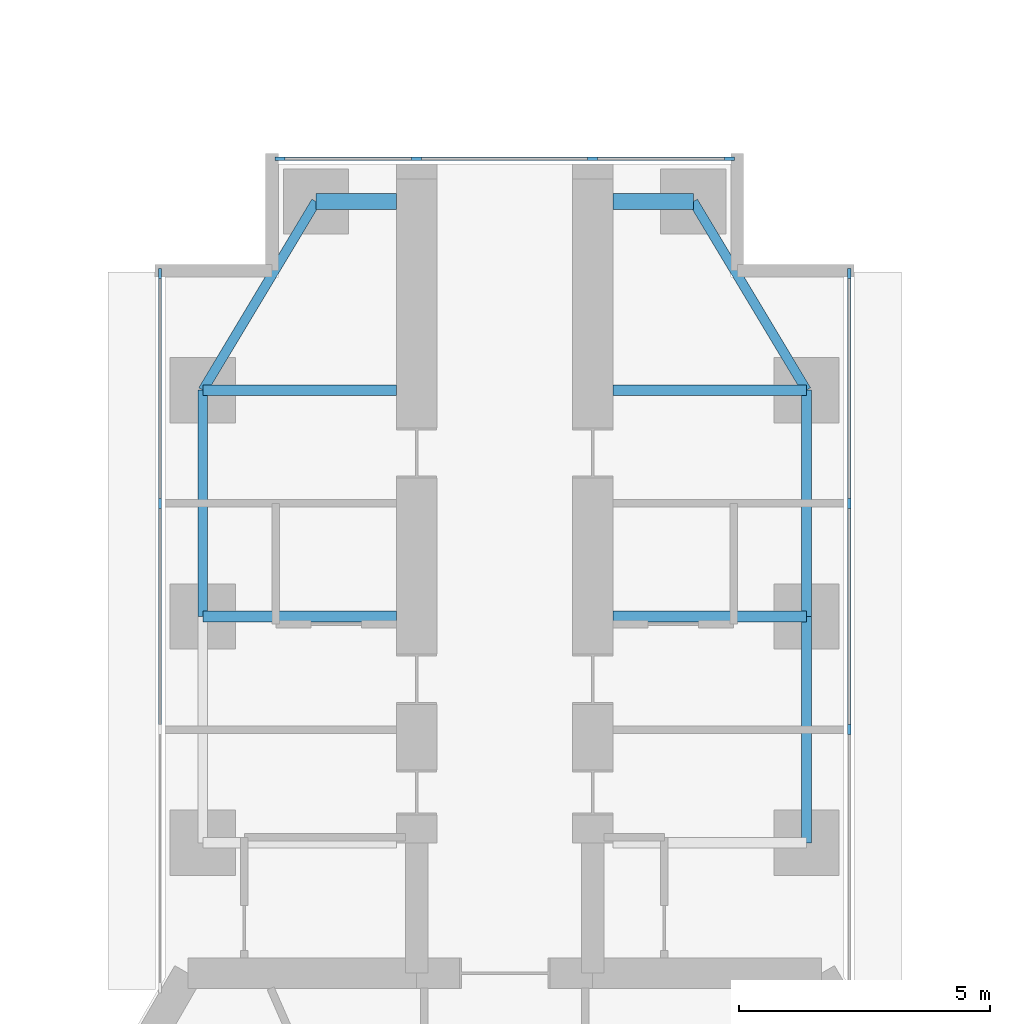
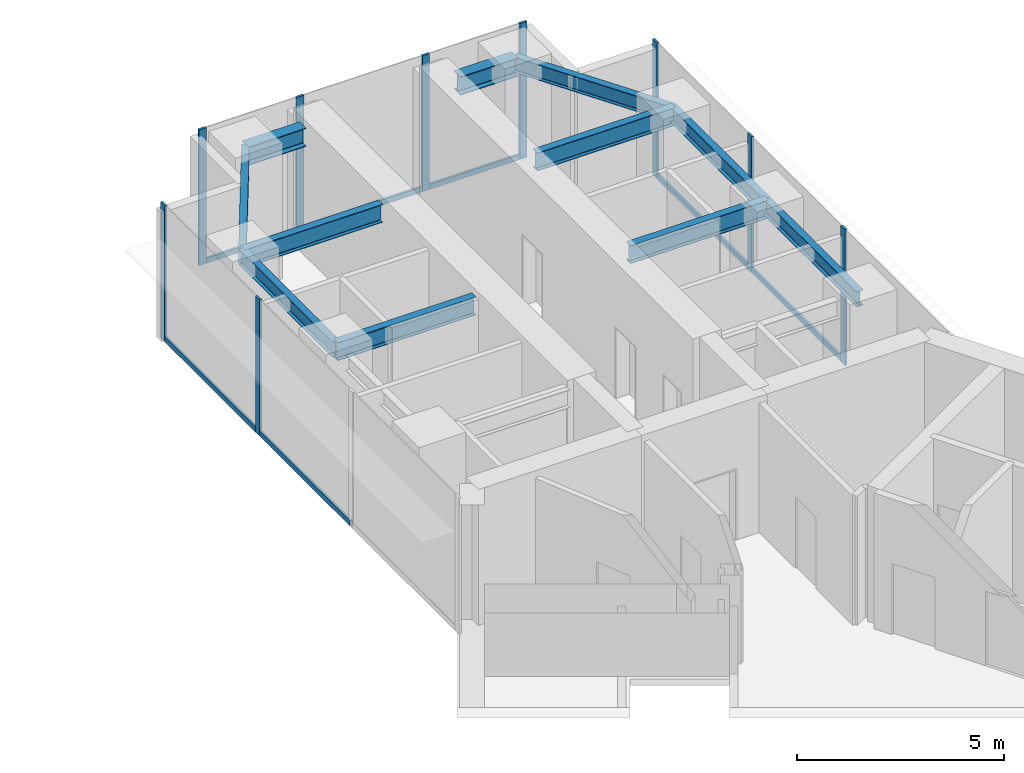
# One storey, part 12 of 22: 16 members, 11 beams, 3 elements without a shape of their own.
"""IFC4 building model written with IfcOpenShell, lengths in metres."""

from ifc_helpers import new_model, si_unit, direction, frame, origin, origin_2d, place, context, subcontext, project, spatial, rectangle, i_section, extrude, material, material_profile, profile_set, type_object, element, aggregate, save


model = new_model("IFC4")

# Units and contexts
model_context = context("Model", 3, precision=1e-05, world=origin(), true_north=direction((0.0, 1.0)))
body_context = subcontext(model_context, "Body", "Model", "MODEL_VIEW")
ifc_project = project(units=[si_unit("LENGTHUNIT", "METRE"), si_unit("AREAUNIT", "SQUARE_METRE"), si_unit("VOLUMEUNIT", "CUBIC_METRE"), si_unit("PLANEANGLEUNIT", "RADIAN"), si_unit("MASSUNIT", "GRAM", prefix="KILO")], contexts=[model_context])

# Site, building, storey
site_placement = place(None, origin())
site = spatial("IfcSite", under=ifc_project, at=site_placement, CompositionType="ELEMENT")
building_placement = place(site_placement, origin())
building = spatial("IfcBuilding", under=site, at=building_placement, Name="Upepo Twin Towers", CompositionType="ELEMENT")
storey_placement = place(building_placement, frame((0.0, 0.0, 125.5)))
storey = spatial("IfcBuildingStorey", under=building, at=storey_placement, Name="L30", CompositionType="ELEMENT", Elevation=125.5)

# Beams
ifc_material_1 = material(Name="Steel S355", Category="steel")
ifc_material_profile_1 = material_profile(ifc_material_1, i_section(OverallWidth=0.1904296875, OverallDepth=0.45703125, WebThickness=0.009033203125, FlangeThickness=0.014404296875, FilletRadius=0.01025390625, at=origin_2d()), Name="UB 457x191x74")
ifc_profile_set_1 = profile_set([ifc_material_profile_1], Name="Steel S355")
beam_type_1 = type_object("IfcBeamType", Name="Beam UB 457x191x74", PredefinedType="BEAM", material=ifc_profile_set_1)
beam_1_placement = place(storey_placement, frame((52.5, 0.0, 3.571533203125), z_axis=(0.0, 1.0, 0.0), x_axis=(-1.0, 0.0, 0.0)))
element("IfcBeam", 1, at=beam_1_placement, inside=storey, type_object=beam_type_1, Name="T2 edge beam AL 18.0-22.5", PredefinedType="BEAM", context=body_context, shape_type="SweptSolid", body=[
    extrude(i_section(OverallWidth=0.1904296875, OverallDepth=0.45703125, WebThickness=0.009033203125, FlangeThickness=0.014404296875, FilletRadius=0.01025390625, at=origin_2d()), origin(), (0.0, 0.0, 1.0), 4.5),
])
beam_2_placement = place(storey_placement, frame((52.5, 4.5, 3.571533203125), z_axis=(0.514495755428, 0.857492925713, 0.0), x_axis=(-0.857492925713, 0.514495755428, 0.0)))
element("IfcBeam", 2, at=beam_2_placement, inside=storey, type_object=beam_type_1, Name="T2 nose edge beam AL", PredefinedType="BEAM", context=body_context, shape_type="SweptSolid", body=[
    extrude(i_section(OverallWidth=0.1904296875, OverallDepth=0.45703125, WebThickness=0.009033203125, FlangeThickness=0.014404296875, FilletRadius=0.01025390625, at=origin_2d()), origin(), (0.0, 0.0, 1.0), 4.373291015625),
])
for number, where, z_axis, x_axis, name in (
    (3, (64.5, -4.5, 3.571533203125), (0.0, 1.0, 0.0), (-1.0, 0.0, 0.0), "T2 edge beam AR 13.5-18.0"),
    (4, (64.5, 0.0, 3.571533203125), (0.0, 1.0, 0.0), (-1.0, 0.0, 0.0), "T2 edge beam AR 18.0-22.5"),
):
    element("IfcBeam", number, at=place(storey_placement, frame(where, z_axis=z_axis, x_axis=x_axis)), inside=storey, type_object=beam_type_1, Name=name, PredefinedType="BEAM", context=body_context, shape_type="SweptSolid", body=[
        extrude(i_section(OverallWidth=0.1904296875, OverallDepth=0.45703125, WebThickness=0.009033203125, FlangeThickness=0.014404296875, FilletRadius=0.01025390625, at=origin_2d()), origin(), (0.0, 0.0, 1.0), 4.5),
    ])
beam_3_placement = place(storey_placement, frame((64.5, 4.5, 3.571533203125), z_axis=(-0.514495755428, 0.857492925713, 0.0), x_axis=(-0.857492925713, -0.514495755428, 0.0)))
element("IfcBeam", 5, at=beam_3_placement, inside=storey, type_object=beam_type_1, Name="T2 nose edge beam AR", PredefinedType="BEAM", context=body_context, shape_type="SweptSolid", body=[
    extrude(i_section(OverallWidth=0.1904296875, OverallDepth=0.45703125, WebThickness=0.009033203125, FlangeThickness=0.014404296875, FilletRadius=0.01025390625, at=origin_2d()), origin(), (0.0, 0.0, 1.0), 4.373291015625),
])
ifc_material_2 = material(Name="Steel S355", Category="steel")
ifc_material_profile_2 = material_profile(ifc_material_2, i_section(OverallWidth=0.209228515625, OverallDepth=0.533203125, WebThickness=0.010009765625, FlangeThickness=0.015625, FilletRadius=0.0126953125, at=origin_2d()), Name="UB 533x210x92")
ifc_profile_set_2 = profile_set([ifc_material_profile_2], Name="Steel S355")
beam_type_2 = type_object("IfcBeamType", Name="Beam UB 533x210x92", PredefinedType="BEAM", material=ifc_profile_set_2)
for number, where, z_axis, x_axis, name in (
    (6, (52.5, 0.0, 3.533447265625), (1.0, 0.0, 0.0), (0.0, 1.0, 0.0), "T2 girder AL at 18.0"),
    (7, (52.5, 4.5, 3.533447265625), (1.0, 0.0, 0.0), (0.0, 1.0, 0.0), "T2 girder AL at 22.5"),
    (8, (64.5, 0.0, 3.533447265625), (-1.0, 0.0, 0.0), (0.0, -1.0, 0.0), "T2 girder AR at 18.0"),
    (9, (64.5, 4.5, 3.533447265625), (-1.0, 0.0, 0.0), (0.0, -1.0, 0.0), "T2 girder AR at 22.5"),
):
    element("IfcBeam", number, at=place(storey_placement, frame(where, z_axis=z_axis, x_axis=x_axis)), inside=storey, type_object=beam_type_2, Name=name, PredefinedType="BEAM", context=body_context, shape_type="SweptSolid", body=[
        extrude(i_section(OverallWidth=0.209228515625, OverallDepth=0.533203125, WebThickness=0.010009765625, FlangeThickness=0.015625, FilletRadius=0.0126953125, at=origin_2d()), origin(), (0.0, 0.0, 1.0), 3.85009765625),
    ])
ifc_material_3 = material(Name="Steel S355", Category="steel")
ifc_material_profile_3 = material_profile(ifc_material_3, i_section(OverallWidth=0.31201171875, OverallDepth=0.54345703125, WebThickness=0.0126953125, FlangeThickness=0.020263671875, FilletRadius=0.0126953125, at=origin_2d()), Name="UB 533x312x150")
ifc_profile_set_3 = profile_set([ifc_material_profile_3], Name="Steel S355")
beam_type_3 = type_object("IfcBeamType", Name="Beam UB 533x312x150", PredefinedType="BEAM", material=ifc_profile_set_3)
for number, where, z_axis, x_axis, name in (
    (10, (54.75, 8.25, 3.5283203125), (1.0, 0.0, 0.0), (0.0, 1.0, 0.0), "T2 nose beam AL"),
    (11, (62.25, 8.25, 3.5283203125), (-1.0, 0.0, 0.0), (0.0, -1.0, 0.0), "T2 nose beam AR"),
):
    element("IfcBeam", number, at=place(storey_placement, frame(where, z_axis=z_axis, x_axis=x_axis)), inside=storey, type_object=beam_type_3, Name=name, PredefinedType="BEAM", context=body_context, shape_type="SweptSolid", body=[
        extrude(i_section(OverallWidth=0.31201171875, OverallDepth=0.54345703125, WebThickness=0.0126953125, FlangeThickness=0.020263671875, FilletRadius=0.0126953125, at=origin_2d()), origin(), (0.0, 0.0, 1.0), 1.60009765625),
    ])

# Curtain wall, members
ifc_material_4 = material(Name="Aluminium and fritted glass", Category="aluminium")
curtain_wall_type = type_object("IfcCurtainWallType", Name="Tower curtain wall TW2, fritted glass", PredefinedType="NOTDEFINED", material=ifc_material_4)
curtain_wall_1_placement = place(storey_placement, origin())
curtain_wall_1 = element("IfcCurtainWall", 12, at=curtain_wall_1_placement, inside=storey, type_object=curtain_wall_type, Name="T2 L30 wing A flank L curtain wall", PredefinedType="NOTDEFINED")
ifc_material_5 = material(Name="Aluminium mullion", Category="aluminium")
ifc_material_profile_4 = material_profile(ifc_material_5, rectangle(XDim=0.06494140625, YDim=0.199951171875, at=origin_2d()), Name="MULLION 65x200")
ifc_profile_set_4 = profile_set([ifc_material_profile_4], Name="Aluminium mullion")
member_type_1 = type_object("IfcMemberType", Name="Mullion 65x200 TW2", PredefinedType="MULLION", material=ifc_profile_set_4)
member_1_placement = place(storey_placement, frame((51.64990234375, 2.25, 0.0), z_axis=(0.0, 0.0, 1.0), x_axis=(-1.0, 0.0, 0.0)))
member_1 = element("IfcMember", 13, at=member_1_placement, type_object=member_type_1, Name="T2 L30 wing A flank L curtain wall mullion 3", PredefinedType="MULLION", context=body_context, shape_type="SweptSolid", body=[
    extrude(rectangle(XDim=0.06494140625, YDim=0.199951171875, at=origin_2d()), origin(), (0.0, 0.0, 1.0), 4.0),
])
member_2_placement = place(storey_placement, frame((51.64990234375, 6.8173828125, 0.0), z_axis=(0.0, 0.0, 1.0), x_axis=(-1.0, 0.0, 0.0)))
member_2 = element("IfcMember", 14, at=member_2_placement, type_object=member_type_1, Name="T2 L30 wing A flank L curtain wall mullion 4", PredefinedType="MULLION", context=body_context, shape_type="SweptSolid", body=[
    extrude(rectangle(XDim=0.06494140625, YDim=0.199951171875, at=origin_2d()), origin(), (0.0, 0.0, 1.0), 4.0),
])

curtain_wall_2_placement = place(storey_placement, origin())
curtain_wall_2 = element("IfcCurtainWall", 15, at=curtain_wall_2_placement, inside=storey, type_object=curtain_wall_type, Name="T2 L30 wing A flank R curtain wall", PredefinedType="NOTDEFINED")
member_3_placement = place(storey_placement, frame((65.35009765625, 6.8173828125, 0.0), z_axis=(0.0, 0.0, 1.0), x_axis=(1.0, 0.0, 0.0)))
member_3 = element("IfcMember", 16, at=member_3_placement, type_object=member_type_1, Name="T2 L30 wing A flank R curtain wall mullion 1", PredefinedType="MULLION", context=body_context, shape_type="SweptSolid", body=[
    extrude(rectangle(XDim=0.06494140625, YDim=0.199951171875, at=origin_2d()), origin(), (0.0, 0.0, 1.0), 4.0),
])
member_4_placement = place(storey_placement, frame((65.35009765625, 2.25, 0.0), z_axis=(0.0, 0.0, 1.0), x_axis=(1.0, 0.0, 0.0)))
member_4 = element("IfcMember", 17, at=member_4_placement, type_object=member_type_1, Name="T2 L30 wing A flank R curtain wall mullion 2", PredefinedType="MULLION", context=body_context, shape_type="SweptSolid", body=[
    extrude(rectangle(XDim=0.06494140625, YDim=0.199951171875, at=origin_2d()), origin(), (0.0, 0.0, 1.0), 4.0),
])
member_5_placement = place(storey_placement, frame((65.35009765625, -2.25, 0.0), z_axis=(0.0, 0.0, 1.0), x_axis=(1.0, 0.0, 0.0)))
member_5 = element("IfcMember", 18, at=member_5_placement, type_object=member_type_1, Name="T2 L30 wing A flank R curtain wall mullion 3", PredefinedType="MULLION", context=body_context, shape_type="SweptSolid", body=[
    extrude(rectangle(XDim=0.06494140625, YDim=0.199951171875, at=origin_2d()), origin(), (0.0, 0.0, 1.0), 4.0),
])

curtain_wall_3_placement = place(storey_placement, origin())
curtain_wall_3 = element("IfcCurtainWall", 19, at=curtain_wall_3_placement, inside=storey, type_object=curtain_wall_type, Name="T2 L30 wing A nose curtain wall", PredefinedType="NOTDEFINED")
member_6_placement = place(storey_placement, frame((62.967529296875, 9.10009765625, 0.0), z_axis=(0.0, 0.0, 1.0), x_axis=(0.0, -1.0, 0.0)))
member_6 = element("IfcMember", 20, at=member_6_placement, type_object=member_type_1, Name="T2 L30 wing A nose curtain wall mullion 1", PredefinedType="MULLION", context=body_context, shape_type="SweptSolid", body=[
    extrude(rectangle(XDim=0.06494140625, YDim=0.199951171875, at=origin_2d()), origin(), (0.0, 0.0, 1.0), 4.0),
])
member_7_placement = place(storey_placement, frame((60.25, 9.10009765625, 0.0), z_axis=(0.0, 0.0, 1.0), x_axis=(0.0, -1.0, 0.0)))
member_7 = element("IfcMember", 21, at=member_7_placement, type_object=member_type_1, Name="T2 L30 wing A nose curtain wall mullion 2", PredefinedType="MULLION", context=body_context, shape_type="SweptSolid", body=[
    extrude(rectangle(XDim=0.06494140625, YDim=0.199951171875, at=origin_2d()), origin(), (0.0, 0.0, 1.0), 4.0),
])
member_8_placement = place(storey_placement, frame((56.75, 9.10009765625, 0.0), z_axis=(0.0, 0.0, 1.0), x_axis=(0.0, -1.0, 0.0)))
member_8 = element("IfcMember", 22, at=member_8_placement, type_object=member_type_1, Name="T2 L30 wing A nose curtain wall mullion 3", PredefinedType="MULLION", context=body_context, shape_type="SweptSolid", body=[
    extrude(rectangle(XDim=0.06494140625, YDim=0.199951171875, at=origin_2d()), origin(), (0.0, 0.0, 1.0), 4.0),
])
member_9_placement = place(storey_placement, frame((54.032470703125, 9.10009765625, 0.0), z_axis=(0.0, 0.0, 1.0), x_axis=(0.0, -1.0, 0.0)))
member_9 = element("IfcMember", 23, at=member_9_placement, type_object=member_type_1, Name="T2 L30 wing A nose curtain wall mullion 4", PredefinedType="MULLION", context=body_context, shape_type="SweptSolid", body=[
    extrude(rectangle(XDim=0.06494140625, YDim=0.199951171875, at=origin_2d()), origin(), (0.0, 0.0, 1.0), 4.0),
])

# Member
ifc_material_6 = material(Name="Aluminium transom", Category="aluminium")
ifc_material_profile_5 = material_profile(ifc_material_6, rectangle(XDim=0.06494140625, YDim=0.14990234375, at=origin_2d()), Name="TRANSOM 65x150")
ifc_profile_set_5 = profile_set([ifc_material_profile_5], Name="Aluminium transom")
member_type_2 = type_object("IfcMemberType", Name="Transom 65x150 TW2", PredefinedType="USERDEFINED", material=ifc_profile_set_5)
member_10_placement = place(storey_placement, frame((51.64990234375, -2.217529296875, 0.074951171875), z_axis=(0.0, 1.0, 0.0), x_axis=(-1.0, 0.0, 0.0)))
member_10 = element("IfcMember", 24, at=member_10_placement, type_object=member_type_2, Name="T2 L30 wing A flank L curtain wall transom 2", ObjectType="TRANSOM", PredefinedType="USERDEFINED", context=body_context, shape_type="SweptSolid", body=[
    extrude(rectangle(XDim=0.06494140625, YDim=0.14990234375, at=origin_2d()), origin(), (0.0, 0.0, 1.0), 4.43505859375),
])

member_11_placement = place(storey_placement, frame((51.64990234375, 2.282470703125, 0.074951171875), z_axis=(0.0, 1.0, 0.0), x_axis=(-1.0, 0.0, 0.0)))
member_11 = element("IfcMember", 25, at=member_11_placement, type_object=member_type_2, Name="T2 L30 wing A flank L curtain wall transom 3", ObjectType="TRANSOM", PredefinedType="USERDEFINED", context=body_context, shape_type="SweptSolid", body=[
    extrude(rectangle(XDim=0.06494140625, YDim=0.14990234375, at=origin_2d()), origin(), (0.0, 0.0, 1.0), 4.50244140625),
])

aggregate(curtain_wall_1, [member_1, member_2, member_10, member_11])

member_12_placement = place(storey_placement, frame((65.35009765625, 6.784912109375, 0.074951171875), z_axis=(0.0, -1.0, 0.0), x_axis=(1.0, 0.0, 0.0)))
member_12 = element("IfcMember", 26, at=member_12_placement, type_object=member_type_2, Name="T2 L30 wing A flank R curtain wall transom 1", ObjectType="TRANSOM", PredefinedType="USERDEFINED", context=body_context, shape_type="SweptSolid", body=[
    extrude(rectangle(XDim=0.06494140625, YDim=0.14990234375, at=origin_2d()), origin(), (0.0, 0.0, 1.0), 4.50244140625),
])

member_13_placement = place(storey_placement, frame((65.35009765625, 2.217529296875, 0.074951171875), z_axis=(0.0, -1.0, 0.0), x_axis=(1.0, 0.0, 0.0)))
member_13 = element("IfcMember", 27, at=member_13_placement, type_object=member_type_2, Name="T2 L30 wing A flank R curtain wall transom 2", ObjectType="TRANSOM", PredefinedType="USERDEFINED", context=body_context, shape_type="SweptSolid", body=[
    extrude(rectangle(XDim=0.06494140625, YDim=0.14990234375, at=origin_2d()), origin(), (0.0, 0.0, 1.0), 4.43505859375),
])

aggregate(curtain_wall_2, [member_3, member_4, member_5, member_12, member_13])

member_14_placement = place(storey_placement, frame((62.93505859375, 9.10009765625, 0.074951171875), z_axis=(-1.0, 0.0, 0.0), x_axis=(0.0, -1.0, 0.0)))
member_14 = element("IfcMember", 28, at=member_14_placement, type_object=member_type_2, Name="T2 L30 wing A nose curtain wall transom 1", ObjectType="TRANSOM", PredefinedType="USERDEFINED", context=body_context, shape_type="SweptSolid", body=[
    extrude(rectangle(XDim=0.06494140625, YDim=0.14990234375, at=origin_2d()), origin(), (0.0, 0.0, 1.0), 2.652587890625),
])

member_15_placement = place(storey_placement, frame((60.217529296875, 9.10009765625, 0.074951171875), z_axis=(-1.0, 0.0, 0.0), x_axis=(0.0, -1.0, 0.0)))
member_15 = element("IfcMember", 29, at=member_15_placement, type_object=member_type_2, Name="T2 L30 wing A nose curtain wall transom 2", ObjectType="TRANSOM", PredefinedType="USERDEFINED", context=body_context, shape_type="SweptSolid", body=[
    extrude(rectangle(XDim=0.06494140625, YDim=0.14990234375, at=origin_2d()), origin(), (0.0, 0.0, 1.0), 3.43505859375),
])

member_16_placement = place(storey_placement, frame((56.717529296875, 9.10009765625, 0.074951171875), z_axis=(-1.0, 0.0, 0.0), x_axis=(0.0, -1.0, 0.0)))
member_16 = element("IfcMember", 30, at=member_16_placement, type_object=member_type_2, Name="T2 L30 wing A nose curtain wall transom 3", ObjectType="TRANSOM", PredefinedType="USERDEFINED", context=body_context, shape_type="SweptSolid", body=[
    extrude(rectangle(XDim=0.06494140625, YDim=0.14990234375, at=origin_2d()), origin(), (0.0, 0.0, 1.0), 2.652587890625),
])

aggregate(curtain_wall_3, [member_6, member_7, member_8, member_9, member_14, member_15, member_16])

save(model, "model.ifc")
